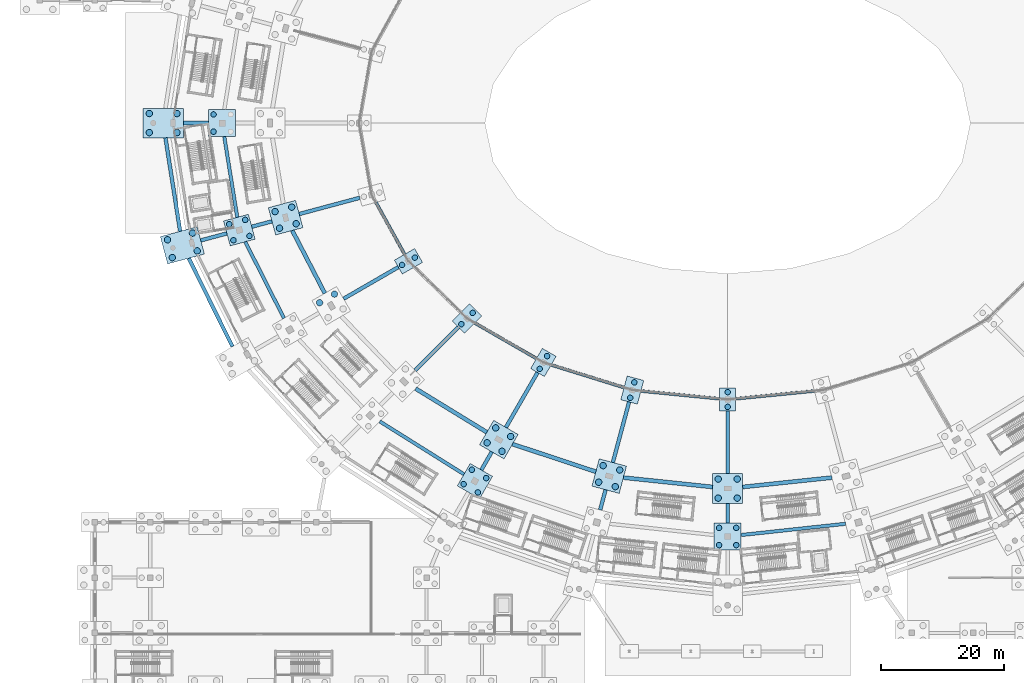
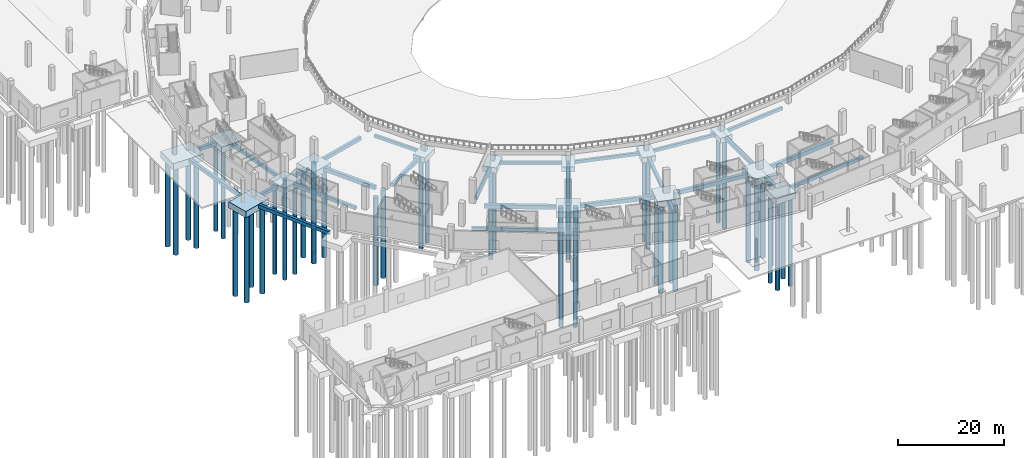
# One storey, part 3 of 103: 50 piles, 43 footings.
"""IFC4 building model written with IfcOpenShell, lengths in metres."""

from ifc_helpers import new_model, si_unit, direction, frame, origin, origin_2d, place, context, subcontext, project, spatial, rectangle, circle, extrude, material, material_profile, profile_set, type_object, element, save


model = new_model("IFC4")

# Units and contexts
model_context = context("Model", 3, precision=1e-05, world=origin(), true_north=direction((0.0, 1.0)))
body_context = subcontext(model_context, "Body", "Model", "MODEL_VIEW")
ifc_project = project(units=[si_unit("LENGTHUNIT", "METRE"), si_unit("AREAUNIT", "SQUARE_METRE"), si_unit("VOLUMEUNIT", "CUBIC_METRE"), si_unit("PLANEANGLEUNIT", "RADIAN"), si_unit("MASSUNIT", "GRAM", prefix="KILO")], contexts=[model_context])

# Site, building, storey
site_placement = place(None, origin())
site = spatial("IfcSite", under=ifc_project, at=site_placement, CompositionType="ELEMENT")
building_placement = place(site_placement, origin())
building = spatial("IfcBuilding", under=site, at=building_placement, Name="Zevraka Park Crest Stadium", CompositionType="ELEMENT")
storey_placement = place(building_placement, origin())
storey = spatial("IfcBuildingStorey", under=building, at=storey_placement, Name="L00", CompositionType="ELEMENT", Elevation=0.0)

# Footings
ifc_material_1 = material(Name="Concrete C35/45", Category="concrete")
ifc_material_profile_1 = material_profile(ifc_material_1, rectangle(XDim=0.60009765625, YDim=0.800048828125, at=origin_2d()), Name="GB 800x600")
ifc_profile_set_1 = profile_set([ifc_material_profile_1], Name="Concrete C35/45")
footing_type_1 = type_object("IfcFootingType", Name="GB01", PredefinedType="FOOTING_BEAM", material=ifc_profile_set_1)
footing_1_placement = place(storey_placement, frame((27.5, 92.0, -0.75), z_axis=(-1.0, 0.0, 0.0), x_axis=(0.0, -1.0, 0.0)))
element("IfcFooting", 1, at=footing_1_placement, inside=storey, type_object=footing_type_1, Name="Ground Tie Beam GB01 RAD-CDE-12", PredefinedType="FOOTING_BEAM", context=body_context, shape_type="SweptSolid", body=[
    extrude(rectangle(XDim=0.60009765625, YDim=0.800048828125, at=origin_2d()), origin(), (0.0, 0.0, 1.0), 4.10009765625),
])
footing_2_placement = place(storey_placement, frame((20.47802734375, 89.60009765625, -0.75), z_axis=(0.155405085969, -0.987850828443, 0.0), x_axis=(0.987850828443, 0.155405085969, 0.0)))
element("IfcFooting", 2, at=footing_2_placement, inside=storey, type_object=footing_type_1, Name="Ground Tie Beam GB01 CIR-DE-12", PredefinedType="FOOTING_BEAM", context=body_context, shape_type="SweptSolid", body=[
    extrude(rectangle(XDim=0.60009765625, YDim=0.800048828125, at=origin_2d()), origin(), (0.0, 0.0, 1.0), 15.4052734375),
])
footing_3_placement = place(storey_placement, frame((52.112060546875, 79.8349609375, -0.75), z_axis=(-0.965918344594, -0.258846965554, 0.0), x_axis=(0.258846965554, -0.965918344594, 0.0)))
element("IfcFooting", 3, at=footing_3_placement, inside=storey, type_object=footing_type_1, Name="Ground Tie Beam GB01 RAD-AB-13", PredefinedType="FOOTING_BEAM", context=body_context, shape_type="SweptSolid", body=[
    extrude(rectangle(XDim=0.60009765625, YDim=0.800048828125, at=origin_2d()), origin(), (0.0, 0.0, 1.0), 10.19873046875),
])
footing_4_placement = place(storey_placement, frame((37.81689453125, 76.0048828125, -0.75), z_axis=(-0.965948371903, -0.258734889063, 0.0), x_axis=(0.258734889063, -0.965948371903, 0.0)))
element("IfcFooting", 4, at=footing_4_placement, inside=storey, type_object=footing_type_1, Name="Ground Tie Beam GB01 RAD-BC-13", PredefinedType="FOOTING_BEAM", context=body_context, shape_type="SweptSolid", body=[
    extrude(rectangle(XDim=0.60009765625, YDim=0.800048828125, at=origin_2d()), origin(), (0.0, 0.0, 1.0), 3.400634765625),
])
footing_5_placement = place(storey_placement, frame((30.47607421875, 74.0380859375, -0.75), z_axis=(-0.965904454439, -0.258898792763, 0.0), x_axis=(0.258898792763, -0.965904454439, 0.0)))
element("IfcFooting", 5, at=footing_5_placement, inside=storey, type_object=footing_type_1, Name="Ground Tie Beam GB01 RAD-CDE-13", PredefinedType="FOOTING_BEAM", context=body_context, shape_type="SweptSolid", body=[
    extrude(rectangle(XDim=0.60009765625, YDim=0.800048828125, at=origin_2d()), origin(), (0.0, 0.0, 1.0), 4.39990234375),
])
footing_6_placement = place(storey_placement, frame((24.27294921875, 69.9951171875, -0.75), z_axis=(0.443588303516, -0.896230671749, 0.0), x_axis=(0.896230671749, 0.443588303516, 0.0)))
element("IfcFooting", 6, at=footing_6_placement, inside=storey, type_object=footing_type_1, Name="Ground Tie Beam GB01 CIR-DE-13", PredefinedType="FOOTING_BEAM", context=body_context, shape_type="SweptSolid", body=[
    extrude(rectangle(XDim=0.60009765625, YDim=0.800048828125, at=origin_2d()), origin(), (0.0, 0.0, 1.0), 16.0439453125),
])
footing_7_placement = place(storey_placement, frame((58.39306640625, 68.550048828125, -0.75), z_axis=(-0.866021778534, -0.500006279065, 0.0), x_axis=(0.500006279065, -0.866021778534, 0.0)))
element("IfcFooting", 7, at=footing_7_placement, inside=storey, type_object=footing_type_1, Name="Ground Tie Beam GB01 RAD-AB-14", PredefinedType="FOOTING_BEAM", context=body_context, shape_type="SweptSolid", body=[
    extrude(rectangle(XDim=0.60009765625, YDim=0.800048828125, at=origin_2d()), origin(), (0.0, 0.0, 1.0), 10.300048828125),
])
footing_8_placement = place(storey_placement, frame((68.159912109375, 58.76611328125, -0.75), z_axis=(-0.707094513227, -0.707119048933, 0.0), x_axis=(0.707119048933, -0.707094513227, 0.0)))
element("IfcFooting", 8, at=footing_8_placement, inside=storey, type_object=footing_type_1, Name="Ground Tie Beam GB01 RAD-AB-15", PredefinedType="FOOTING_BEAM", context=body_context, shape_type="SweptSolid", body=[
    extrude(rectangle(XDim=0.60009765625, YDim=0.800048828125, at=origin_2d()), origin(), (0.0, 0.0, 1.0), 9.950439453125),
])
footing_9_placement = place(storey_placement, frame((81.050048828125, 51.384033203125, -0.75), z_axis=(-0.499965227428, -0.866045478808, 0.0), x_axis=(0.866045478808, -0.499965227428, 0.0)))
element("IfcFooting", 9, at=footing_9_placement, inside=storey, type_object=footing_type_1, Name="Ground Tie Beam GB01 RAD-AB-16", PredefinedType="FOOTING_BEAM", context=body_context, shape_type="SweptSolid", body=[
    extrude(rectangle(XDim=0.60009765625, YDim=0.800048828125, at=origin_2d()), origin(), (0.0, 0.0, 1.0), 10.301025390625),
])
footing_10_placement = place(storey_placement, frame((73.60009765625, 38.47900390625, -0.75), z_axis=(-0.500093339322, -0.865971507594, 0.0), x_axis=(0.865971507594, -0.500093339322, 0.0)))
element("IfcFooting", 10, at=footing_10_placement, inside=storey, type_object=footing_type_1, Name="Ground Tie Beam GB01 RAD-BC-16", PredefinedType="FOOTING_BEAM", context=body_context, shape_type="SweptSolid", body=[
    extrude(rectangle(XDim=0.60009765625, YDim=0.800048828125, at=origin_2d()), origin(), (0.0, 0.0, 1.0), 3.399658203125),
])
footing_11_placement = place(storey_placement, frame((95.952880859375, 46.60107421875, -0.75), z_axis=(-0.258823026795, -0.965924759389, 0.0), x_axis=(0.965924759389, -0.258823026795, 0.0)))
element("IfcFooting", 11, at=footing_11_placement, inside=storey, type_object=footing_type_1, Name="Ground Tie Beam GB01 RAD-AB-17", PredefinedType="FOOTING_BEAM", context=body_context, shape_type="SweptSolid", body=[
    extrude(rectangle(XDim=0.60009765625, YDim=0.800048828125, at=origin_2d()), origin(), (0.0, 0.0, 1.0), 10.19970703125),
])
footing_12_placement = place(storey_placement, frame((92.123046875, 32.304931640625, -0.75), z_axis=(-0.258873676752, -0.965911186127, 0.0), x_axis=(0.965911186127, -0.258873676752, 0.0)))
element("IfcFooting", 12, at=footing_12_placement, inside=storey, type_object=footing_type_1, Name="Ground Tie Beam GB01 RAD-BC-17", PredefinedType="FOOTING_BEAM", context=body_context, shape_type="SweptSolid", body=[
    extrude(rectangle(XDim=0.60009765625, YDim=0.800048828125, at=origin_2d()), origin(), (0.0, 0.0, 1.0), 3.39990234375),
])
footing_13_placement = place(storey_placement, frame((112.0, 45.10009765625, -0.75), z_axis=(0.0, -1.0, 0.0), x_axis=(1.0, 0.0, 0.0)))
element("IfcFooting", 13, at=footing_13_placement, inside=storey, type_object=footing_type_1, Name="Ground Tie Beam GB01 RAD-AB-18", PredefinedType="FOOTING_BEAM", context=body_context, shape_type="SweptSolid", body=[
    extrude(rectangle(XDim=0.60009765625, YDim=0.800048828125, at=origin_2d()), origin(), (0.0, 0.0, 1.0), 10.150146484375),
])
footing_14_placement = place(storey_placement, frame((112.0, 30.050048828125, -0.75), z_axis=(0.0, -1.0, 0.0), x_axis=(1.0, 0.0, 0.0)))
element("IfcFooting", 14, at=footing_14_placement, inside=storey, type_object=footing_type_1, Name="Ground Tie Beam GB01 RAD-BC-18", PredefinedType="FOOTING_BEAM", context=body_context, shape_type="SweptSolid", body=[
    extrude(rectangle(XDim=0.60009765625, YDim=0.800048828125, at=origin_2d()), origin(), (0.0, 0.0, 1.0), 3.150146484375),
])
ifc_material_2 = material(Name="Concrete C35/45", Category="concrete")
ifc_material_profile_2 = material_profile(ifc_material_2, rectangle(XDim=0.5, YDim=0.699951171875, at=origin_2d()), Name="GB 700x500")
ifc_profile_set_2 = profile_set([ifc_material_profile_2], Name="Concrete C35/45")
footing_type_2 = type_object("IfcFootingType", Name="GB02", PredefinedType="FOOTING_BEAM", material=ifc_profile_set_2)
footing_15_placement = place(storey_placement, frame((54.740966796875, 79.090087890625, -0.699951171875), z_axis=(0.483451620056, -0.875371081922, 0.0), x_axis=(0.875371081922, 0.483451620056, 0.0)))
element("IfcFooting", 15, at=footing_15_placement, inside=storey, type_object=footing_type_2, Name="Ground Tie Beam GB02 CIR-A-13", PredefinedType="FOOTING_BEAM", context=body_context, shape_type="SweptSolid", body=[
    extrude(rectangle(XDim=0.5, YDim=0.699951171875, at=origin_2d()), origin(), (0.0, 0.0, 1.0), 9.655517578125),
])
footing_16_placement = place(storey_placement, frame((70.8310546875, 59.45703125, -0.699951171875), z_axis=(0.866686781199, -0.498852707014, 0.0), x_axis=(0.498852707014, 0.866686781199, 0.0)))
element("IfcFooting", 16, at=footing_16_placement, inside=storey, type_object=footing_type_2, Name="Ground Tie Beam GB02 CIR-A-15", PredefinedType="FOOTING_BEAM", context=body_context, shape_type="SweptSolid", body=[
    extrude(rectangle(XDim=0.5, YDim=0.699951171875, at=origin_2d()), origin(), (0.0, 0.0, 1.0), 11.586669921875),
])
footing_17_placement = place(storey_placement, frame((83.27294921875, 52.634033203125, -0.699951171875), z_axis=(0.954965260776, -0.296717627908, 0.0), x_axis=(0.296717627908, 0.954965260776, 0.0)))
element("IfcFooting", 17, at=footing_17_placement, inside=storey, type_object=footing_type_2, Name="Ground Tie Beam GB02 CIR-A-16", PredefinedType="FOOTING_BEAM", context=body_context, shape_type="SweptSolid", body=[
    extrude(rectangle(XDim=0.5, YDim=0.699951171875, at=origin_2d()), origin(), (0.0, 0.0, 1.0), 12.41943359375),
])
for number, where, z_axis, x_axis, name in (
    (18, (97.883056640625, 48.39404296875, -0.699951171875), (0.99515621208, -0.098306223396, 0.0), (0.098306223396, 0.99515621208, 0.0), "Ground Tie Beam GB02 CIR-A-17"),
    (19, (113.300048828125, 47.1279296875, -0.699951171875), (0.99515621208, 0.098306223396, 0.0), (-0.098306223396, 0.99515621208, 0.0), "Ground Tie Beam GB02 CIR-A-18"),
):
    element("IfcFooting", number, at=place(storey_placement, frame(where, z_axis=z_axis, x_axis=x_axis)), inside=storey, type_object=footing_type_2, Name=name, PredefinedType="FOOTING_BEAM", context=body_context, shape_type="SweptSolid", body=[
        extrude(rectangle(XDim=0.5, YDim=0.699951171875, at=origin_2d()), origin(), (0.0, 0.0, 1.0), 12.87939453125),
    ])
ifc_material_3 = material(Name="Concrete C35/45", Category="concrete")
ifc_material_profile_3 = material_profile(ifc_material_3, rectangle(XDim=0.64990234375, YDim=0.89990234375, at=origin_2d()), Name="GB 900x650")
ifc_profile_set_3 = profile_set([ifc_material_profile_3], Name="Concrete C35/45")
footing_type_3 = type_object("IfcFootingType", Name="GB03", PredefinedType="FOOTING_BEAM", material=ifc_profile_set_3)
footing_18_placement = place(storey_placement, frame((41.123046875, 74.509033203125, -0.800048828125), z_axis=(0.460395193039, -0.887714067832, 0.0), x_axis=(0.887714067832, 0.460395193039, 0.0)))
element("IfcFooting", 20, at=footing_18_placement, inside=storey, type_object=footing_type_3, Name="Ground Tie Beam GB03 CIR-B-13", PredefinedType="FOOTING_BEAM", context=body_context, shape_type="SweptSolid", body=[
    extrude(rectangle(XDim=0.64990234375, YDim=0.89990234375, at=origin_2d()), origin(), (0.0, 0.0, 1.0), 11.507080078125),
])
footing_19_placement = place(storey_placement, frame((61.2060546875, 48.77197265625, -0.800048828125), z_axis=(0.852594278308, -0.522573436559, 0.0), x_axis=(0.522573436559, 0.852594278308, 0.0)))
element("IfcFooting", 21, at=footing_19_placement, inside=storey, type_object=footing_type_3, Name="Ground Tie Beam GB03 CIR-B-15", PredefinedType="FOOTING_BEAM", context=body_context, shape_type="SweptSolid", body=[
    extrude(rectangle(XDim=0.64990234375, YDim=0.89990234375, at=origin_2d()), origin(), (0.0, 0.0, 1.0), 13.58447265625),
])
footing_20_placement = place(storey_placement, frame((76.97998046875, 39.73291015625, -0.800048828125), z_axis=(0.94941794929, -0.314015218684, 0.0), x_axis=(0.314015218684, 0.94941794929, 0.0)))
element("IfcFooting", 22, at=footing_20_placement, inside=storey, type_object=footing_type_3, Name="Ground Tie Beam GB03 CIR-B-16", PredefinedType="FOOTING_BEAM", context=body_context, shape_type="SweptSolid", body=[
    extrude(rectangle(XDim=0.64990234375, YDim=0.89990234375, at=origin_2d()), origin(), (0.0, 0.0, 1.0), 14.27294921875),
])
for number, where, z_axis, x_axis, name in (
    (23, (95.033935546875, 34.283935546875, -0.800048828125), (0.994520656605, -0.104540248642, 0.0), (0.104540248642, 0.994520656605, 0.0), "Ground Tie Beam GB03 CIR-B-17"),
    (24, (114.449951171875, 32.758056640625, -0.800048828125), (0.994520656605, 0.104540248642, 0.0), (-0.104540248642, 0.994520656605, 0.0), "Ground Tie Beam GB03 CIR-B-18"),
):
    element("IfcFooting", number, at=place(storey_placement, frame(where, z_axis=z_axis, x_axis=x_axis)), inside=storey, type_object=footing_type_3, Name=name, PredefinedType="FOOTING_BEAM", context=body_context, shape_type="SweptSolid", body=[
        extrude(rectangle(XDim=0.64990234375, YDim=0.89990234375, at=origin_2d()), origin(), (0.0, 0.0, 1.0), 14.59619140625),
    ])
ifc_material_4 = material(Name="Concrete C35/45", Category="concrete")
ifc_material_profile_4 = material_profile(ifc_material_4, rectangle(XDim=0.550048828125, YDim=0.75, at=origin_2d()), Name="GB 750x550")
ifc_profile_set_4 = profile_set([ifc_material_profile_4], Name="Concrete C35/45")
footing_type_4 = type_object("IfcFootingType", Name="GB04", PredefinedType="FOOTING_BEAM", material=ifc_profile_set_4)
footing_21_placement = place(storey_placement, frame((30.053955078125, 89.800048828125, -0.72509765625), z_axis=(0.158971653084, -0.98728314759, 0.0), x_axis=(0.98728314759, 0.158971653084, 0.0)))
element("IfcFooting", 25, at=footing_21_placement, inside=storey, type_object=footing_type_4, Name="Ground Tie Beam GB04 CIR-C-12", PredefinedType="FOOTING_BEAM", context=body_context, shape_type="SweptSolid", body=[
    extrude(rectangle(XDim=0.550048828125, YDim=0.75, at=origin_2d()), origin(), (0.0, 0.0, 1.0), 13.30419921875),
])
footing_22_placement = place(storey_placement, frame((33.47412109375, 72.6669921875, -0.72509765625), z_axis=(0.451871179717, -0.892083200683, 0.0), x_axis=(0.892083200683, 0.451871179717, 0.0)))
element("IfcFooting", 26, at=footing_22_placement, inside=storey, type_object=footing_type_4, Name="Ground Tie Beam GB04 CIR-C-13", PredefinedType="FOOTING_BEAM", context=body_context, shape_type="SweptSolid", body=[
    extrude(rectangle(XDim=0.550048828125, YDim=0.75, at=origin_2d()), origin(), (0.0, 0.0, 1.0), 13.94580078125),
])
footing_23_placement = place(storey_placement, frame((55.368896484375, 43.430908203125, -0.72509765625), z_axis=(0.847033648329, -0.531539272865, 0.0), x_axis=(0.531539272865, 0.847033648329, 0.0)))
element("IfcFooting", 27, at=footing_23_placement, inside=storey, type_object=footing_type_4, Name="Ground Tie Beam GB04 CIR-C-15", PredefinedType="FOOTING_BEAM", context=body_context, shape_type="SweptSolid", body=[
    extrude(rectangle(XDim=0.550048828125, YDim=0.75, at=origin_2d()), origin(), (0.0, 0.0, 1.0), 16.175537109375),
])
footing_24_placement = place(storey_placement, frame((114.199951171875, 24.93701171875, -0.72509765625), z_axis=(0.994253503641, 0.107051251732, 0.0), x_axis=(-0.107051251732, 0.994253503641, 0.0)))
element("IfcFooting", 28, at=footing_24_placement, inside=storey, type_object=footing_type_4, Name="Ground Tie Beam GB04 CIR-C-18", PredefinedType="FOOTING_BEAM", context=body_context, shape_type="SweptSolid", body=[
    extrude(rectangle(XDim=0.550048828125, YDim=0.75, at=origin_2d()), origin(), (0.0, 0.0, 1.0), 17.086181640625),
])
ifc_material_5 = material(Name="Concrete C35/45", Category="concrete")
footing_type_5 = type_object("IfcFootingType", Name="PC01", PredefinedType="PILE_CAP", material=ifc_material_5)
for number, where, z_axis, x_axis, name in (
    (29, (60.0380859375, 69.5, -1.5498046875), (0.0, 0.0, 1.0), (0.866025403784, 0.5, 0.0), "Foundation PC01 A-14"),
    (30, (82.0, 53.029052734375, -1.5498046875), (0.0, 0.0, 1.0), (0.5, 0.866025403784, 0.0), "Foundation PC01 A-16"),
    (31, (112.0, 47.0, -1.5498046875), (0.0, 0.0, 1.0), (0.0, 1.0, 0.0), "Foundation PC01 A-18"),
):
    element("IfcFooting", number, at=place(storey_placement, frame(where, z_axis=z_axis, x_axis=x_axis)), inside=storey, type_object=footing_type_5, Name=name, PredefinedType="PILE_CAP", context=body_context, shape_type="SweptSolid", body=[
        extrude(rectangle(XDim=3.800048828125, YDim=2.60009765625, at=origin_2d()), origin(), (0.0, 0.0, 1.0), 1.199951171875),
    ])
ifc_material_6 = material(Name="Concrete C35/45", Category="concrete")
footing_type_6 = type_object("IfcFootingType", Name="PC02", PredefinedType="PILE_CAP", material=ifc_material_6)
for number, where, z_axis, x_axis, name in (
    (32, (69.573974609375, 60.179931640625, -1.60009765625), (0.0, 0.0, 1.0), (0.707106781187, 0.707106781187, 0.0), "Foundation PC02 A-15"),
    (33, (96.470947265625, 48.532958984375, -1.60009765625), (0.0, 0.0, 1.0), (0.258819045103, 0.965925826289, 0.0), "Foundation PC02 A-17"),
):
    element("IfcFooting", number, at=place(storey_placement, frame(where, z_axis=z_axis, x_axis=x_axis)), inside=storey, type_object=footing_type_6, Name=name, PredefinedType="PILE_CAP", context=body_context, shape_type="SweptSolid", body=[
        extrude(rectangle(XDim=4.0, YDim=2.800048828125, at=origin_2d()), origin(), (0.0, 0.0, 1.0), 1.25),
    ])
ifc_material_7 = material(Name="Concrete C35/45", Category="concrete")
footing_type_7 = type_object("IfcFootingType", Name="PC03", PredefinedType="PILE_CAP", material=ifc_material_7)
for number, where, z_axis, x_axis, name in (
    (34, (40.0390625, 76.60009765625, -1.75), (0.0, 0.0, 1.0), (0.965925826289, 0.258819045103, 0.0), "Foundation PC03 B-13"),
    (35, (74.75, 40.470947265625, -1.75), (0.0, 0.0, 1.0), (0.5, 0.866025403784, 0.0), "Foundation PC03 B-16"),
    (36, (92.718017578125, 34.527099609375, -1.75), (0.0, 0.0, 1.0), (0.258819045103, 0.965925826289, 0.0), "Foundation PC03 B-17"),
):
    element("IfcFooting", number, at=place(storey_placement, frame(where, z_axis=z_axis, x_axis=x_axis)), inside=storey, type_object=footing_type_7, Name=name, PredefinedType="PILE_CAP", context=body_context, shape_type="SweptSolid", body=[
        extrude(rectangle(XDim=4.60009765625, YDim=4.60009765625, at=origin_2d()), origin(), (0.0, 0.0, 1.0), 1.39990234375),
    ])
ifc_material_8 = material(Name="Concrete C35/45", Category="concrete")
footing_type_8 = type_object("IfcFootingType", Name="PC04", PredefinedType="PILE_CAP", material=ifc_material_8)
footing_25_placement = place(storey_placement, frame((112.0, 32.5, -1.85009765625), z_axis=(0.0, 0.0, 1.0), x_axis=(0.0, 1.0, 0.0)))
element("IfcFooting", 37, at=footing_25_placement, inside=storey, type_object=footing_type_8, Name="Foundation PC04 B-18", PredefinedType="PILE_CAP", context=body_context, shape_type="SweptSolid", body=[
    extrude(rectangle(XDim=4.89990234375, YDim=4.89990234375, at=origin_2d()), origin(), (0.0, 0.0, 1.0), 1.5),
])
ifc_material_9 = material(Name="Concrete C35/45", Category="concrete")
footing_type_9 = type_object("IfcFootingType", Name="PC05", PredefinedType="PILE_CAP", material=ifc_material_9)
for number, where, z_axis, x_axis, name in (
    (38, (32.50390625, 74.5810546875, -1.64990234375), (0.0, 0.0, 1.0), (0.965925826289, 0.258819045103, 0.0), "Foundation PC05 C-13"),
    (39, (70.85009765625, 33.716064453125, -1.64990234375), (0.0, 0.0, 1.0), (0.5, 0.866025403784, 0.0), "Foundation PC05 C-16"),
):
    element("IfcFooting", number, at=place(storey_placement, frame(where, z_axis=z_axis, x_axis=x_axis)), inside=storey, type_object=footing_type_9, Name=name, PredefinedType="PILE_CAP", context=body_context, shape_type="SweptSolid", body=[
        extrude(rectangle(XDim=4.199951171875, YDim=4.199951171875, at=origin_2d()), origin(), (0.0, 0.0, 1.0), 1.300048828125),
    ])
ifc_material_10 = material(Name="Concrete C35/45", Category="concrete")
footing_type_10 = type_object("IfcFootingType", Name="PC06", PredefinedType="PILE_CAP", material=ifc_material_10)
for number, where, z_axis, x_axis, name in (
    (40, (29.699951171875, 92.0, -1.699951171875), (0.0, 0.0, 1.0), (1.0, 0.0, 0.0), "Foundation PC06 C-12"),
    (41, (112.0, 24.699951171875, -1.699951171875), (0.0, 0.0, 1.0), (0.0, 1.0, 0.0), "Foundation PC06 C-18"),
):
    element("IfcFooting", number, at=place(storey_placement, frame(where, z_axis=z_axis, x_axis=x_axis)), inside=storey, type_object=footing_type_10, Name=name, PredefinedType="PILE_CAP", context=body_context, shape_type="SweptSolid", body=[
        extrude(rectangle(XDim=4.39990234375, YDim=4.39990234375, at=origin_2d()), origin(), (0.0, 0.0, 1.0), 1.35009765625),
    ])
ifc_material_11 = material(Name="Concrete C35/45", Category="concrete")
footing_type_11 = type_object("IfcFootingType", Name="PC07", PredefinedType="PILE_CAP", material=ifc_material_11)
footing_26_placement = place(storey_placement, frame((23.23193359375, 72.096923828125, -1.7998046875), z_axis=(0.0, 0.0, 1.0), x_axis=(0.965925826289, 0.258819045103, 0.0)))
element("IfcFooting", 42, at=footing_26_placement, inside=storey, type_object=footing_type_11, Name="Foundation PC07 DE-13", PredefinedType="PILE_CAP", context=body_context, shape_type="SweptSolid", body=[
    extrude(rectangle(XDim=6.199951171875, YDim=4.60009765625, at=origin_2d()), origin(), (0.0, 0.0, 1.0), 1.449951171875),
])
ifc_material_12 = material(Name="Concrete C35/45", Category="concrete")
footing_type_12 = type_object("IfcFootingType", Name="PC08", PredefinedType="PILE_CAP", material=ifc_material_12)
footing_27_placement = place(storey_placement, frame((20.10009765625, 92.0, -1.89990234375), z_axis=(0.0, 0.0, 1.0), x_axis=(1.0, 0.0, 0.0)))
element("IfcFooting", 43, at=footing_27_placement, inside=storey, type_object=footing_type_12, Name="Foundation PC08 DE-12", PredefinedType="PILE_CAP", context=body_context, shape_type="SweptSolid", body=[
    extrude(rectangle(XDim=6.60009765625, YDim=4.800048828125, at=origin_2d()), origin(), (0.0, 0.0, 1.0), 1.550048828125),
])

# Piles
ifc_material_13 = material(Name="Concrete C35/45", Category="concrete")
ifc_material_profile_5 = material_profile(ifc_material_13, circle(Radius=0.449951171875, at=origin_2d()), Name="PILE D900")
ifc_profile_set_5 = profile_set([ifc_material_profile_5], Name="Concrete C35/45")
pile_type_1 = type_object("IfcPileType", Name="PL01", PredefinedType="BORED", material=ifc_profile_set_5)
for number, where, z_axis, x_axis, name in (
    (44, (28.300048828125, 90.60009765625, -1.60009765625), (0.0, 0.0, -1.0), (1.0, 0.0, 0.0), "Bored Pile PL01 C-12-1"),
    (45, (28.300048828125, 93.39990234375, -1.60009765625), (0.0, 0.0, -1.0), (1.0, 0.0, 0.0), "Bored Pile PL01 C-12-3"),
):
    element("IfcPile", number, at=place(storey_placement, frame(where, z_axis=z_axis, x_axis=x_axis)), inside=storey, type_object=pile_type_1, Name=name, PredefinedType="BORED", context=body_context, shape_type="SweptSolid", body=[
        extrude(circle(Radius=0.449951171875, at=origin_2d()), origin(), (0.0, 0.0, 1.0), 20.39990234375),
    ])
for number, where, z_axis, x_axis, name in (
    (46, (31.549072265625, 72.927978515625, -1.550048828125), (0.0, 0.0, -1.0), (1.0, 0.0, 0.0), "Bored Pile PL01 C-13-1"),
    (47, (34.156982421875, 73.6259765625, -1.550048828125), (0.0, 0.0, -1.0), (1.0, 0.0, 0.0), "Bored Pile PL01 C-13-2"),
    (48, (30.85107421875, 75.535888671875, -1.550048828125), (0.0, 0.0, -1.0), (1.0, 0.0, 0.0), "Bored Pile PL01 C-13-3"),
    (49, (33.458984375, 76.23388671875, -1.550048828125), (0.0, 0.0, -1.0), (1.0, 0.0, 0.0), "Bored Pile PL01 C-13-4"),
):
    element("IfcPile", number, at=place(storey_placement, frame(where, z_axis=z_axis, x_axis=x_axis)), inside=storey, type_object=pile_type_1, Name=name, PredefinedType="BORED", context=body_context, shape_type="SweptSolid", body=[
        extrude(circle(Radius=0.449951171875, at=origin_2d()), origin(), (0.0, 0.0, 1.0), 20.449951171875),
    ])
for number, where, z_axis, x_axis, name in (
    (50, (58.9990234375, 68.89990234375, -1.449951171875), (0.0, 0.0, -1.0), (1.0, 0.0, 0.0), "Bored Pile PL01 A-14-1"),
    (51, (61.076904296875, 70.10009765625, -1.449951171875), (0.0, 0.0, -1.0), (1.0, 0.0, 0.0), "Bored Pile PL01 A-14-2"),
):
    element("IfcPile", number, at=place(storey_placement, frame(where, z_axis=z_axis, x_axis=x_axis)), inside=storey, type_object=pile_type_1, Name=name, PredefinedType="BORED", context=body_context, shape_type="SweptSolid", body=[
        extrude(circle(Radius=0.449951171875, at=origin_2d()), origin(), (0.0, 0.0, 1.0), 20.550048828125),
    ])
for number, where, z_axis, x_axis, name in (
    (52, (68.655029296875, 59.260986328125, -1.5), (0.0, 0.0, -1.0), (1.0, 0.0, 0.0), "Bored Pile PL01 A-15-1"),
    (53, (70.492919921875, 61.09912109375, -1.5), (0.0, 0.0, -1.0), (1.0, 0.0, 0.0), "Bored Pile PL01 A-15-2"),
):
    element("IfcPile", number, at=place(storey_placement, frame(where, z_axis=z_axis, x_axis=x_axis)), inside=storey, type_object=pile_type_1, Name=name, PredefinedType="BORED", context=body_context, shape_type="SweptSolid", body=[
        extrude(circle(Radius=0.449951171875, at=origin_2d()), origin(), (0.0, 0.0, 1.0), 20.5),
    ])
for number, where, z_axis, x_axis, name in (
    (54, (81.39990234375, 51.989990234375, -1.449951171875), (0.0, 0.0, -1.0), (1.0, 0.0, 0.0), "Bored Pile PL01 A-16-1"),
    (55, (82.60009765625, 54.068115234375, -1.449951171875), (0.0, 0.0, -1.0), (1.0, 0.0, 0.0), "Bored Pile PL01 A-16-2"),
):
    element("IfcPile", number, at=place(storey_placement, frame(where, z_axis=z_axis, x_axis=x_axis)), inside=storey, type_object=pile_type_1, Name=name, PredefinedType="BORED", context=body_context, shape_type="SweptSolid", body=[
        extrude(circle(Radius=0.449951171875, at=origin_2d()), origin(), (0.0, 0.0, 1.0), 20.550048828125),
    ])
for number, where, z_axis, x_axis, name in (
    (56, (71.343994140625, 31.8720703125, -1.550048828125), (0.0, 0.0, -1.0), (1.0, 0.0, 0.0), "Bored Pile PL01 C-16-1"),
    (57, (72.694091796875, 34.2099609375, -1.550048828125), (0.0, 0.0, -1.0), (1.0, 0.0, 0.0), "Bored Pile PL01 C-16-2"),
    (58, (69.006103515625, 33.221923828125, -1.550048828125), (0.0, 0.0, -1.0), (1.0, 0.0, 0.0), "Bored Pile PL01 C-16-3"),
    (59, (70.35595703125, 35.56005859375, -1.550048828125), (0.0, 0.0, -1.0), (1.0, 0.0, 0.0), "Bored Pile PL01 C-16-4"),
):
    element("IfcPile", number, at=place(storey_placement, frame(where, z_axis=z_axis, x_axis=x_axis)), inside=storey, type_object=pile_type_1, Name=name, PredefinedType="BORED", context=body_context, shape_type="SweptSolid", body=[
        extrude(circle(Radius=0.449951171875, at=origin_2d()), origin(), (0.0, 0.0, 1.0), 20.449951171875),
    ])
for number, where, z_axis, x_axis, name in (
    (60, (96.135009765625, 47.277099609375, -1.5), (0.0, 0.0, -1.0), (1.0, 0.0, 0.0), "Bored Pile PL01 A-17-1"),
    (61, (96.806884765625, 49.7890625, -1.5), (0.0, 0.0, -1.0), (1.0, 0.0, 0.0), "Bored Pile PL01 A-17-2"),
):
    element("IfcPile", number, at=place(storey_placement, frame(where, z_axis=z_axis, x_axis=x_axis)), inside=storey, type_object=pile_type_1, Name=name, PredefinedType="BORED", context=body_context, shape_type="SweptSolid", body=[
        extrude(circle(Radius=0.449951171875, at=origin_2d()), origin(), (0.0, 0.0, 1.0), 20.5),
    ])
for number, where, z_axis, x_axis, name in (
    (62, (112.0, 45.800048828125, -1.449951171875), (0.0, 0.0, -1.0), (1.0, 0.0, 0.0), "Bored Pile PL01 A-18-1"),
    (63, (112.0, 48.199951171875, -1.449951171875), (0.0, 0.0, -1.0), (1.0, 0.0, 0.0), "Bored Pile PL01 A-18-2"),
):
    element("IfcPile", number, at=place(storey_placement, frame(where, z_axis=z_axis, x_axis=x_axis)), inside=storey, type_object=pile_type_1, Name=name, PredefinedType="BORED", context=body_context, shape_type="SweptSolid", body=[
        extrude(circle(Radius=0.449951171875, at=origin_2d()), origin(), (0.0, 0.0, 1.0), 20.550048828125),
    ])
for number, where, z_axis, x_axis, name in (
    (64, (113.39990234375, 23.300048828125, -1.60009765625), (0.0, 0.0, -1.0), (1.0, 0.0, 0.0), "Bored Pile PL01 C-18-1"),
    (65, (113.39990234375, 26.10009765625, -1.60009765625), (0.0, 0.0, -1.0), (1.0, 0.0, 0.0), "Bored Pile PL01 C-18-2"),
    (66, (110.60009765625, 23.300048828125, -1.60009765625), (0.0, 0.0, -1.0), (1.0, 0.0, 0.0), "Bored Pile PL01 C-18-3"),
    (67, (110.60009765625, 26.10009765625, -1.60009765625), (0.0, 0.0, -1.0), (1.0, 0.0, 0.0), "Bored Pile PL01 C-18-4"),
):
    element("IfcPile", number, at=place(storey_placement, frame(where, z_axis=z_axis, x_axis=x_axis)), inside=storey, type_object=pile_type_1, Name=name, PredefinedType="BORED", context=body_context, shape_type="SweptSolid", body=[
        extrude(circle(Radius=0.449951171875, at=origin_2d()), origin(), (0.0, 0.0, 1.0), 20.39990234375),
    ])
ifc_material_14 = material(Name="Concrete C35/45", Category="concrete")
ifc_material_profile_6 = material_profile(ifc_material_14, circle(Radius=0.52490234375, at=origin_2d()), Name="PILE D1050")
ifc_profile_set_6 = profile_set([ifc_material_profile_6], Name="Concrete C35/45")
pile_type_2 = type_object("IfcPileType", Name="PL02", PredefinedType="BORED", material=ifc_profile_set_6)
for number, where, z_axis, x_axis, name in (
    (68, (17.85009765625, 90.449951171875, -1.800048828125), (0.0, 0.0, -1.0), (1.0, 0.0, 0.0), "Bored Pile PL02 DE-12-1"),
    (69, (22.35009765625, 90.449951171875, -1.800048828125), (0.0, 0.0, -1.0), (1.0, 0.0, 0.0), "Bored Pile PL02 DE-12-2"),
    (70, (17.85009765625, 93.550048828125, -1.800048828125), (0.0, 0.0, -1.0), (1.0, 0.0, 0.0), "Bored Pile PL02 DE-12-3"),
    (71, (22.35009765625, 93.550048828125, -1.800048828125), (0.0, 0.0, -1.0), (1.0, 0.0, 0.0), "Bored Pile PL02 DE-12-4"),
):
    element("IfcPile", number, at=place(storey_placement, frame(where, z_axis=z_axis, x_axis=x_axis)), inside=storey, type_object=pile_type_2, Name=name, PredefinedType="BORED", context=body_context, shape_type="SweptSolid", body=[
        extrude(circle(Radius=0.52490234375, at=origin_2d()), origin(), (0.0, 0.0, 1.0), 20.199951171875),
    ])
for number, where, z_axis, x_axis, name in (
    (72, (39.049072265625, 74.885009765625, -1.64990234375), (0.0, 0.0, -1.0), (1.0, 0.0, 0.0), "Bored Pile PL02 B-13-1"),
    (73, (41.75390625, 75.610107421875, -1.64990234375), (0.0, 0.0, -1.0), (1.0, 0.0, 0.0), "Bored Pile PL02 B-13-2"),
    (74, (38.323974609375, 77.590087890625, -1.64990234375), (0.0, 0.0, -1.0), (1.0, 0.0, 0.0), "Bored Pile PL02 B-13-3"),
    (75, (41.029052734375, 78.31494140625, -1.64990234375), (0.0, 0.0, -1.0), (1.0, 0.0, 0.0), "Bored Pile PL02 B-13-4"),
):
    element("IfcPile", number, at=place(storey_placement, frame(where, z_axis=z_axis, x_axis=x_axis)), inside=storey, type_object=pile_type_2, Name=name, PredefinedType="BORED", context=body_context, shape_type="SweptSolid", body=[
        extrude(circle(Radius=0.52490234375, at=origin_2d()), origin(), (0.0, 0.0, 1.0), 20.35009765625),
    ])
for number, where, z_axis, x_axis, name in (
    (76, (21.592041015625, 70.10498046875, -1.699951171875), (0.0, 0.0, -1.0), (1.0, 0.0, 0.0), "Bored Pile PL02 DE-13-1"),
    (77, (25.64892578125, 71.19189453125, -1.699951171875), (0.0, 0.0, -1.0), (1.0, 0.0, 0.0), "Bored Pile PL02 DE-13-2"),
    (78, (20.81494140625, 73.001953125, -1.699951171875), (0.0, 0.0, -1.0), (1.0, 0.0, 0.0), "Bored Pile PL02 DE-13-3"),
    (79, (24.8720703125, 74.089111328125, -1.699951171875), (0.0, 0.0, -1.0), (1.0, 0.0, 0.0), "Bored Pile PL02 DE-13-4"),
):
    element("IfcPile", number, at=place(storey_placement, frame(where, z_axis=z_axis, x_axis=x_axis)), inside=storey, type_object=pile_type_2, Name=name, PredefinedType="BORED", context=body_context, shape_type="SweptSolid", body=[
        extrude(circle(Radius=0.52490234375, at=origin_2d()), origin(), (0.0, 0.0, 1.0), 20.300048828125),
    ])
for number, where, z_axis, x_axis, name in (
    (80, (45.569091796875, 62.761962890625, -1.64990234375), (0.0, 0.0, -1.0), (1.0, 0.0, 0.0), "Bored Pile PL02 B-14-3"),
    (81, (47.992919921875, 64.162109375, -1.64990234375), (0.0, 0.0, -1.0), (1.0, 0.0, 0.0), "Bored Pile PL02 B-14-4"),
    (82, (75.261962890625, 38.55908203125, -1.64990234375), (0.0, 0.0, -1.0), (1.0, 0.0, 0.0), "Bored Pile PL02 B-16-1"),
    (83, (76.662109375, 40.98291015625, -1.64990234375), (0.0, 0.0, -1.0), (1.0, 0.0, 0.0), "Bored Pile PL02 B-16-2"),
    (84, (72.837890625, 39.958984375, -1.64990234375), (0.0, 0.0, -1.0), (1.0, 0.0, 0.0), "Bored Pile PL02 B-16-3"),
    (85, (74.238037109375, 42.383056640625, -1.64990234375), (0.0, 0.0, -1.0), (1.0, 0.0, 0.0), "Bored Pile PL02 B-16-4"),
    (86, (93.7080078125, 32.81201171875, -1.64990234375), (0.0, 0.0, -1.0), (1.0, 0.0, 0.0), "Bored Pile PL02 B-17-1"),
    (87, (94.43310546875, 35.51708984375, -1.64990234375), (0.0, 0.0, -1.0), (1.0, 0.0, 0.0), "Bored Pile PL02 B-17-2"),
    (88, (91.0029296875, 33.537109375, -1.64990234375), (0.0, 0.0, -1.0), (1.0, 0.0, 0.0), "Bored Pile PL02 B-17-3"),
    (89, (91.72802734375, 36.241943359375, -1.64990234375), (0.0, 0.0, -1.0), (1.0, 0.0, 0.0), "Bored Pile PL02 B-17-4"),
):
    element("IfcPile", number, at=place(storey_placement, frame(where, z_axis=z_axis, x_axis=x_axis)), inside=storey, type_object=pile_type_2, Name=name, PredefinedType="BORED", context=body_context, shape_type="SweptSolid", body=[
        extrude(circle(Radius=0.52490234375, at=origin_2d()), origin(), (0.0, 0.0, 1.0), 20.35009765625),
    ])
for number, where, z_axis, x_axis, name in (
    (90, (113.550048828125, 30.949951171875, -1.75), (0.0, 0.0, -1.0), (1.0, 0.0, 0.0), "Bored Pile PL02 B-18-1"),
    (91, (113.550048828125, 34.050048828125, -1.75), (0.0, 0.0, -1.0), (1.0, 0.0, 0.0), "Bored Pile PL02 B-18-2"),
    (92, (110.449951171875, 30.949951171875, -1.75), (0.0, 0.0, -1.0), (1.0, 0.0, 0.0), "Bored Pile PL02 B-18-3"),
    (93, (110.449951171875, 34.050048828125, -1.75), (0.0, 0.0, -1.0), (1.0, 0.0, 0.0), "Bored Pile PL02 B-18-4"),
):
    element("IfcPile", number, at=place(storey_placement, frame(where, z_axis=z_axis, x_axis=x_axis)), inside=storey, type_object=pile_type_2, Name=name, PredefinedType="BORED", context=body_context, shape_type="SweptSolid", body=[
        extrude(circle(Radius=0.52490234375, at=origin_2d()), origin(), (0.0, 0.0, 1.0), 20.25),
    ])

save(model, "model.ifc")
